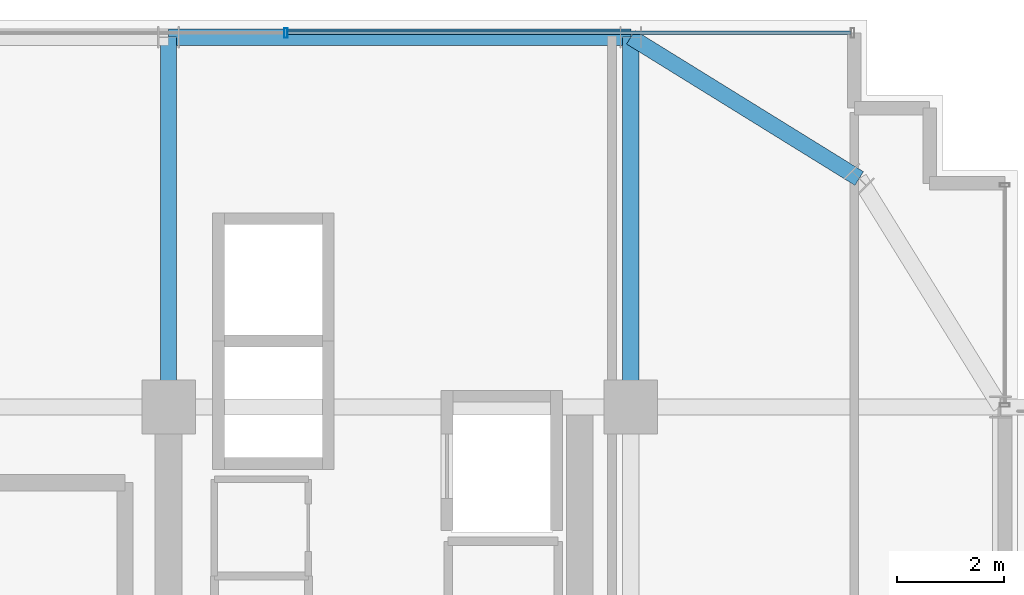
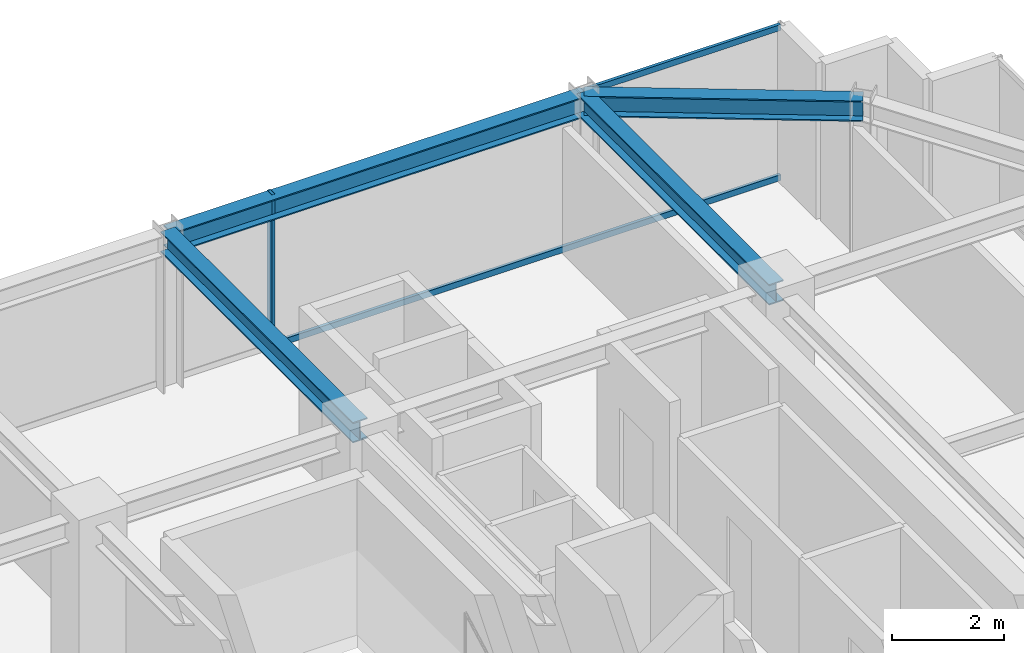
# One storey, part 27 of 36: 4 beams, 3 members, 1 element without a shape of its own.
"""IFC4 building model written with IfcOpenShell, lengths in metres."""

from ifc_helpers import new_model, si_unit, direction, frame, origin, origin_2d, place, context, subcontext, project, spatial, hollow_rectangle, i_section, extrude, source, transform, mapped, material, material_profile, profile_set, type_object, element, aggregate, save


model = new_model("IFC4")

# Units and contexts
model_context = context("Model", 3, precision=1e-05, world=origin(), true_north=direction((0.0, 1.0)))
body_context = subcontext(model_context, "Body", "Model", "MODEL_VIEW")
ifc_project = project(units=[si_unit("LENGTHUNIT", "METRE"), si_unit("AREAUNIT", "SQUARE_METRE"), si_unit("VOLUMEUNIT", "CUBIC_METRE"), si_unit("PLANEANGLEUNIT", "RADIAN"), si_unit("MASSUNIT", "GRAM", prefix="KILO")], contexts=[model_context])

# Site, building, storey
site_placement = place(None, origin())
site = spatial("IfcSite", under=ifc_project, at=site_placement, CompositionType="ELEMENT")
building_placement = place(site_placement, origin())
building = spatial("IfcBuilding", under=site, at=building_placement, Name="Nahalor Promenade Grand Hotel", CompositionType="ELEMENT")
storey_placement = place(building_placement, frame((0.0, 0.0, 253.0)))
storey = spatial("IfcBuildingStorey", under=building, at=storey_placement, Name="L65", CompositionType="ELEMENT", Elevation=253.0)

# Beams
ifc_material_1 = material(Name="Steel S355JR", Category="steel")
ifc_material_profile_1 = material_profile(ifc_material_1, i_section(OverallWidth=0.3, OverallDepth=0.45, WebThickness=0.014, FlangeThickness=0.026, at=origin_2d()), Name="HEB 450")
ifc_profile_set_1 = profile_set([ifc_material_profile_1], Name="Steel S355JR")
beam_type_1 = type_object("IfcBeamType", Name="Beam-Spandrel-HEB450", PredefinedType="SPANDREL", material=ifc_profile_set_1)
shared_shape_1 = source(origin(), body_context, "Body", "SweptSolid", [
    extrude(i_section(OverallWidth=0.3, OverallDepth=0.45, WebThickness=0.014, FlangeThickness=0.026, at=origin_2d()), origin(), (0.0, 0.0, 1.0), 8.60009765625),
])
beam_1_placement = place(storey_placement, frame((8.39990234375, 23.8798828125, 3.18505859375), z_axis=(1.0, 0.0, 0.0), x_axis=(0.0, 1.0, 0.0)))
element("IfcBeam", 1, at=beam_1_placement, inside=storey, type_object=beam_type_1, Name="BM-L65-SP-N-4", PredefinedType="SPANDREL", context=body_context, shape_type="MappedRepresentation", body=[
    mapped(shared_shape_1, transform((0.0, 0.0, 0.0), scale=1.0)),
])
shared_shape_2 = source(origin(), body_context, "Body", "SweptSolid", [
    extrude(i_section(OverallWidth=0.3, OverallDepth=0.45, WebThickness=0.014, FlangeThickness=0.026, at=origin_2d()), origin(), (0.0, 0.0, 1.0), 4.997802734375),
])
beam_2_placement = place(storey_placement, frame((17.0, 23.8798828125, 3.18505859375), z_axis=(0.850360908404, -0.526199891161, 0.0), x_axis=(0.526199891161, 0.850360908404, 0.0)))
element("IfcBeam", 2, at=beam_2_placement, inside=storey, type_object=beam_type_1, Name="BM-L65-SPC-NE-1", PredefinedType="SPANDREL", context=body_context, shape_type="MappedRepresentation", body=[
    mapped(shared_shape_2, transform((0.0, 0.0, 0.0), scale=1.0)),
])
ifc_material_profile_2 = material_profile(ifc_material_1, i_section(OverallWidth=0.3, OverallDepth=0.45, WebThickness=0.014, FlangeThickness=0.026, at=origin_2d()), Name="HEB 450")
ifc_profile_set_2 = profile_set([ifc_material_profile_2], Name="Steel S355JR")
beam_type_2 = type_object("IfcBeamType", Name="Beam-Girder-HEB450", PredefinedType="BEAM", material=ifc_profile_set_2)
shared_shape_3 = source(origin(), body_context, "Body", "SweptSolid", [
    extrude(i_section(OverallWidth=0.3, OverallDepth=0.45, WebThickness=0.014, FlangeThickness=0.026, at=origin_2d()), origin(), (0.0, 0.0, 1.0), 6.8798828125),
])
for number, where, z_axis, x_axis, name in (
    (3, (8.39990234375, 17.0, 3.18505859375), (0.0, 1.0, 0.0), (-1.0, 0.0, 0.0), "BM-L65-GY-4-4"),
    (4, (17.0, 17.0, 3.18505859375), (0.0, 1.0, 0.0), (-1.0, 0.0, 0.0), "BM-L65-GY-5-4"),
):
    element("IfcBeam", number, at=place(storey_placement, frame(where, z_axis=z_axis, x_axis=x_axis)), inside=storey, type_object=beam_type_2, Name=name, PredefinedType="BEAM", context=body_context, shape_type="MappedRepresentation", body=[
        mapped(shared_shape_3, transform((0.0, 0.0, 0.0), scale=1.0)),
    ])

# Curtain wall, members
ifc_material_2 = material(Name="Anodised Bronze Aluminium EN AW-6063 T6", Category="aluminium")
curtain_wall_type = type_object("IfcCurtainWallType", Name="CW2 Typical Hotel Flush Bronze Unitised Curtain Wall", PredefinedType="USERDEFINED", material=ifc_material_2)
curtain_wall_placement = place(storey_placement, origin())
curtain_wall = element("IfcCurtainWall", 5, at=curtain_wall_placement, inside=storey, type_object=curtain_wall_type, Name="L65 Curtain Wall CW-L65-N-1", ObjectType="UNITISED_CURTAIN_WALL", PredefinedType="USERDEFINED")
ifc_material_profile_3 = material_profile(ifc_material_2, hollow_rectangle(XDim=0.065, YDim=0.13, WallThickness=0.004, at=origin_2d()), Name="CWT 65x130x4")
ifc_profile_set_3 = profile_set([ifc_material_profile_3], Name="Anodised Bronze Aluminium EN AW-6063 T6")
member_type_1 = type_object("IfcMemberType", Name="CWT2 Typical Bronze Transom 65x130", PredefinedType="USERDEFINED", material=ifc_profile_set_3)
shared_shape_4 = source(origin(), body_context, "Body", "SweptSolid", [
    extrude(hollow_rectangle(XDim=0.065, YDim=0.13, WallThickness=0.004, at=origin_2d()), origin(), (0.0, 0.0, 1.0), 10.482421875),
])
member_1_placement = place(storey_placement, frame((10.612548828125, 23.9599609375, 0.06494140625), z_axis=(1.0, 0.0, 0.0), x_axis=(0.0, 1.0, 0.0)))
member_1 = element("IfcMember", 6, at=member_1_placement, type_object=member_type_1, Name="CW-L65-N-1 Transom 3-0", ObjectType="TRANSOM", PredefinedType="USERDEFINED", context=body_context, shape_type="MappedRepresentation", body=[
    mapped(shared_shape_4, transform((0.0, 0.0, 0.0), scale=1.0)),
])
member_2_placement = place(storey_placement, frame((10.612548828125, 23.9599609375, 3.344970703125), z_axis=(1.0, 0.0, 0.0), x_axis=(0.0, 1.0, 0.0)))
member_2 = element("IfcMember", 7, at=member_2_placement, type_object=member_type_1, Name="CW-L65-N-1 Transom 3-1", ObjectType="TRANSOM", PredefinedType="USERDEFINED", context=body_context, shape_type="MappedRepresentation", body=[
    mapped(shared_shape_4, transform((0.0, 0.0, 0.0), scale=1.0)),
])
ifc_material_profile_4 = material_profile(ifc_material_2, hollow_rectangle(XDim=0.065, YDim=0.18, WallThickness=0.004, at=origin_2d()), Name="CWM 65x180x4")
ifc_profile_set_4 = profile_set([ifc_material_profile_4], Name="Anodised Bronze Aluminium EN AW-6063 T6")
member_type_2 = type_object("IfcMemberType", Name="CWM2 Typical Bronze Mullion 65x180", PredefinedType="MULLION", material=ifc_profile_set_4)
shared_shape_5 = source(origin(), body_context, "Body", "SweptSolid", [
    extrude(hollow_rectangle(XDim=0.065, YDim=0.18, WallThickness=0.004, at=origin_2d()), origin(), (0.0, 0.0, 1.0), 3.409912109375),
])
member_3_placement = place(storey_placement, frame((10.580078125, 23.9599609375, 0.0), z_axis=(0.0, 0.0, 1.0), x_axis=(1.0, 0.0, 0.0)))
member_3 = element("IfcMember", 8, at=member_3_placement, type_object=member_type_2, Name="CW-L65-N-1 Mullion 3", PredefinedType="MULLION", context=body_context, shape_type="MappedRepresentation", body=[
    mapped(shared_shape_5, transform((0.0, 0.0, 0.0), scale=1.0)),
])
aggregate(curtain_wall, [member_3, member_1, member_2])

save(model, "model.ifc")
